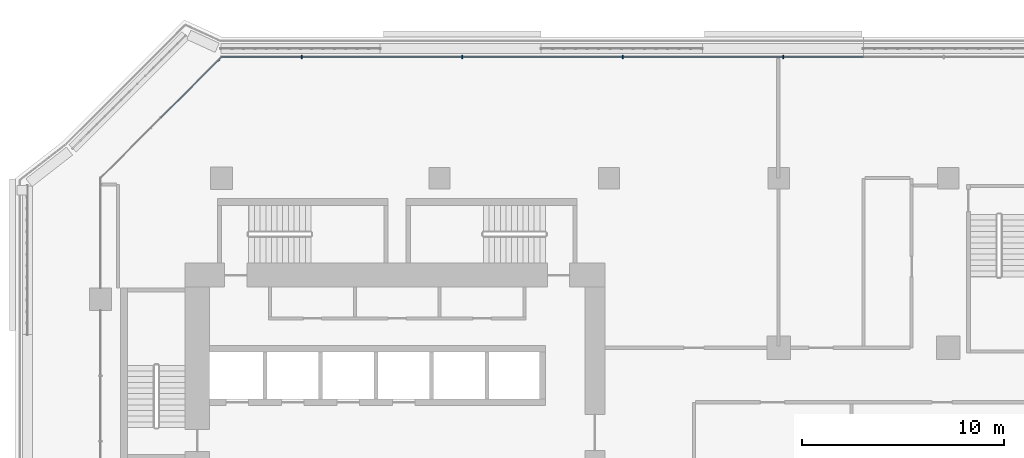
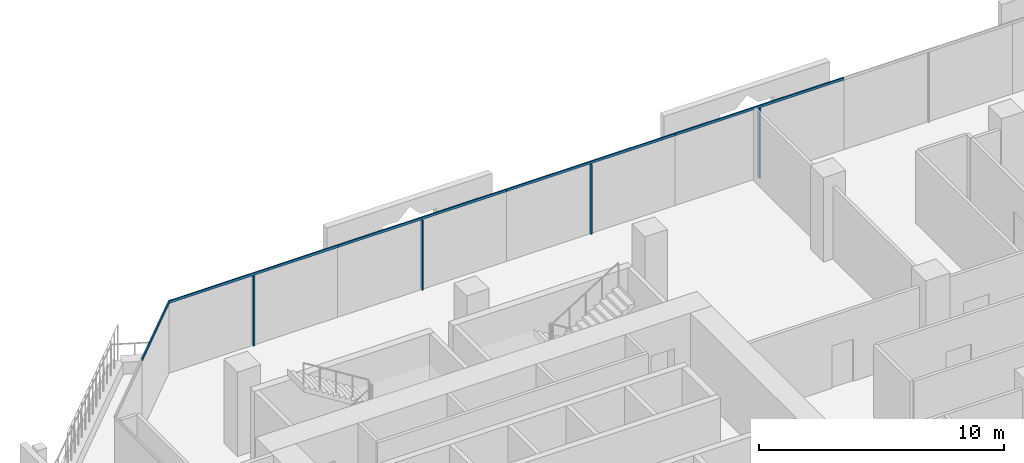
# One storey, part 8 of 25: 9 members, 2 elements without a shape of their own.
"""IFC4 building model written with IfcOpenShell, lengths in metres."""

from ifc_helpers import new_model, si_unit, direction, frame, origin, origin_2d, place, context, subcontext, project, spatial, rectangle, extrude, material, layer, layer_set, material_profile, profile_set, type_object, element, aggregate, save


model = new_model("IFC4")

# Units and contexts
model_context = context("Model", 3, precision=1e-05, world=origin(), true_north=direction((0.0, 1.0)))
body_context = subcontext(model_context, "Body", "Model", "MODEL_VIEW")
ifc_project = project(units=[si_unit("LENGTHUNIT", "METRE"), si_unit("AREAUNIT", "SQUARE_METRE"), si_unit("VOLUMEUNIT", "CUBIC_METRE"), si_unit("PLANEANGLEUNIT", "RADIAN"), si_unit("MASSUNIT", "GRAM", prefix="KILO")], contexts=[model_context])

# Site, building, storey
site_placement = place(None, origin())
site = spatial("IfcSite", under=ifc_project, at=site_placement, CompositionType="ELEMENT")
building_placement = place(site_placement, origin())
building = spatial("IfcBuilding", under=site, at=building_placement, Name="Kawkab Arch Medical Tower", CompositionType="ELEMENT")
storey_placement = place(building_placement, frame((0.0, 0.0, 124.0)))
storey = spatial("IfcBuildingStorey", under=building, at=storey_placement, Name="L28", CompositionType="ELEMENT", Elevation=124.0)

# Curtain wall, members
ifc_material_1 = material(Name="Bronze anodised aluminium curtain wall frame", Category="aluminium")
ifc_layer_1 = layer(ifc_material_1, 0.159912109375)
ifc_layer_set_1 = layer_set([ifc_layer_1], Name="Bronze anodised aluminium curtain wall frame")
curtain_wall_type_1 = type_object("IfcCurtainWallType", Name="CW1 ward curtain wall", PredefinedType="NOTDEFINED", material=ifc_layer_set_1)
placement = place(storey_placement, origin())
curtain_wall_1 = element("IfcCurtainWall", 1, at=placement, inside=storey, type_object=curtain_wall_type_1, Name="CW1 Ward curtain wall R11", PredefinedType="NOTDEFINED")
ifc_material_2 = material(Name="Bronze anodised aluminium curtain wall frame", Category="aluminium")
ifc_material_profile_1 = material_profile(ifc_material_2, rectangle(XDim=0.179931640625, YDim=0.06005859375, at=origin_2d()), Name="AL 60x180")
ifc_profile_set_1 = profile_set([ifc_material_profile_1], Name="Bronze anodised aluminium curtain wall frame")
member_type_1 = type_object("IfcMemberType", Name="CW1 mullion 60 x 180", PredefinedType="MULLION", material=ifc_profile_set_1)
member_1_placement = place(storey_placement, frame((33.824951171875, 6.0, 0.0), z_axis=(0.0, 0.0, 1.0), x_axis=(0.0, -1.0, 0.0)))
member_1 = element("IfcMember", 2, at=member_1_placement, type_object=member_type_1, Name="CW1 mullion 5.1", PredefinedType="MULLION", context=body_context, shape_type="SweptSolid", body=[
    extrude(rectangle(XDim=0.179931640625, YDim=0.06005859375, at=origin_2d()), origin(), (0.0, 0.0, 1.0), 3.47998046875),
])
member_2_placement = place(storey_placement, frame((25.875, 6.0, 0.0), z_axis=(0.0, 0.0, 1.0), x_axis=(0.0, -1.0, 0.0)))
member_2 = element("IfcMember", 3, at=member_2_placement, type_object=member_type_1, Name="CW1 mullion 6.1", PredefinedType="MULLION", context=body_context, shape_type="SweptSolid", body=[
    extrude(rectangle(XDim=0.179931640625, YDim=0.06005859375, at=origin_2d()), origin(), (0.0, 0.0, 1.0), 3.47998046875),
])
member_3_placement = place(storey_placement, frame((17.925048828125, 6.0, 0.0), z_axis=(0.0, 0.0, 1.0), x_axis=(0.0, -1.0, 0.0)))
member_3 = element("IfcMember", 4, at=member_3_placement, type_object=member_type_1, Name="CW1 mullion 7.1", PredefinedType="MULLION", context=body_context, shape_type="SweptSolid", body=[
    extrude(rectangle(XDim=0.179931640625, YDim=0.06005859375, at=origin_2d()), origin(), (0.0, 0.0, 1.0), 3.47998046875),
])
member_4_placement = place(storey_placement, frame((9.97509765625, 6.0, 0.0), z_axis=(0.0, 0.0, 1.0), x_axis=(0.0, -1.0, 0.0)))
member_4 = element("IfcMember", 5, at=member_4_placement, type_object=member_type_1, Name="CW1 mullion 8.1", PredefinedType="MULLION", context=body_context, shape_type="SweptSolid", body=[
    extrude(rectangle(XDim=0.179931640625, YDim=0.06005859375, at=origin_2d()), origin(), (0.0, 0.0, 1.0), 3.47998046875),
])
ifc_material_3 = material(Name="Bronze anodised aluminium curtain wall frame", Category="aluminium")
ifc_material_profile_2 = material_profile(ifc_material_3, rectangle(XDim=0.06005859375, YDim=0.1201171875, at=origin_2d()), Name="AL 60x120")
ifc_profile_set_2 = profile_set([ifc_material_profile_2], Name="Bronze anodised aluminium curtain wall frame")
member_type_2 = type_object("IfcMemberType", Name="CW1 transom 120 x 60", PredefinedType="USERDEFINED", material=ifc_profile_set_2)
member_5_placement = place(storey_placement, frame((37.800048828125, 6.0, 3.5400390625), z_axis=(-1.0, 0.0, 0.0), x_axis=(0.0, -1.0, 0.0)))
member_5 = element("IfcMember", 6, at=member_5_placement, type_object=member_type_2, Name="CW1 transom 5", ObjectType="TRANSOM", PredefinedType="USERDEFINED", context=body_context, shape_type="SweptSolid", body=[
    extrude(rectangle(XDim=0.06005859375, YDim=0.1201171875, at=origin_2d()), origin(), (0.0, 0.0, 1.0), 7.949951171875),
])
member_6_placement = place(storey_placement, frame((29.85009765625, 6.0, 3.5400390625), z_axis=(-1.0, 0.0, 0.0), x_axis=(0.0, -1.0, 0.0)))
member_6 = element("IfcMember", 7, at=member_6_placement, type_object=member_type_2, Name="CW1 transom 6", ObjectType="TRANSOM", PredefinedType="USERDEFINED", context=body_context, shape_type="SweptSolid", body=[
    extrude(rectangle(XDim=0.06005859375, YDim=0.1201171875, at=origin_2d()), origin(), (0.0, 0.0, 1.0), 7.9501953125),
])
member_7_placement = place(storey_placement, frame((21.89990234375, 6.0, 3.5400390625), z_axis=(-1.0, 0.0, 0.0), x_axis=(0.0, -1.0, 0.0)))
member_7 = element("IfcMember", 8, at=member_7_placement, type_object=member_type_2, Name="CW1 transom 7", ObjectType="TRANSOM", PredefinedType="USERDEFINED", context=body_context, shape_type="SweptSolid", body=[
    extrude(rectangle(XDim=0.06005859375, YDim=0.1201171875, at=origin_2d()), origin(), (0.0, 0.0, 1.0), 7.949951171875),
])
member_8_placement = place(storey_placement, frame((13.949951171875, 6.0, 3.5400390625), z_axis=(-1.0, 0.0, 0.0), x_axis=(0.0, -1.0, 0.0)))
member_8 = element("IfcMember", 9, at=member_8_placement, type_object=member_type_2, Name="CW1 transom 8", ObjectType="TRANSOM", PredefinedType="USERDEFINED", context=body_context, shape_type="SweptSolid", body=[
    extrude(rectangle(XDim=0.06005859375, YDim=0.1201171875, at=origin_2d()), origin(), (0.0, 0.0, 1.0), 7.949951171875),
])
aggregate(curtain_wall_1, [member_5, member_1, member_6, member_2, member_7, member_3, member_8, member_4])

# Curtain wall, member
ifc_material_4 = material(Name="Bronze anodised aluminium curtain wall frame", Category="aluminium")
ifc_layer_2 = layer(ifc_material_4, 0.159912109375)
ifc_layer_set_2 = layer_set([ifc_layer_2], Name="Bronze anodised aluminium curtain wall frame")
curtain_wall_type_2 = type_object("IfcCurtainWallType", Name="CW2 chamfer curtain wall", PredefinedType="NOTDEFINED", material=ifc_layer_set_2)
curtain_wall_2 = element("IfcCurtainWall", 10, at=placement, inside=storey, type_object=curtain_wall_type_2, Name="CW2 Chamfer curtain wall R12", PredefinedType="NOTDEFINED")
ifc_material_5 = material(Name="Bronze anodised aluminium curtain wall frame", Category="aluminium")
ifc_material_profile_3 = material_profile(ifc_material_5, rectangle(XDim=0.06005859375, YDim=0.139892578125, at=origin_2d()), Name="AL 60x140")
ifc_profile_set_3 = profile_set([ifc_material_profile_3], Name="Bronze anodised aluminium curtain wall frame")
member_type_3 = type_object("IfcMemberType", Name="CW2 transom 140 x 60", PredefinedType="USERDEFINED", material=ifc_profile_set_3)
member_9_placement = place(storey_placement, frame((6.0, 6.0, 3.530029296875), z_axis=(-0.707106781187, -0.707106781187, 0.0), x_axis=(0.707106781187, -0.707106781187, 0.0)))
member_9 = element("IfcMember", 11, at=member_9_placement, type_object=member_type_3, Name="CW2 transom 1", ObjectType="TRANSOM", PredefinedType="USERDEFINED", context=body_context, shape_type="SweptSolid", body=[
    extrude(rectangle(XDim=0.06005859375, YDim=0.139892578125, at=origin_2d()), origin(), (0.0, 0.0, 1.0), 4.24267578125),
])
aggregate(curtain_wall_2, [member_9])

save(model, "model.ifc")
